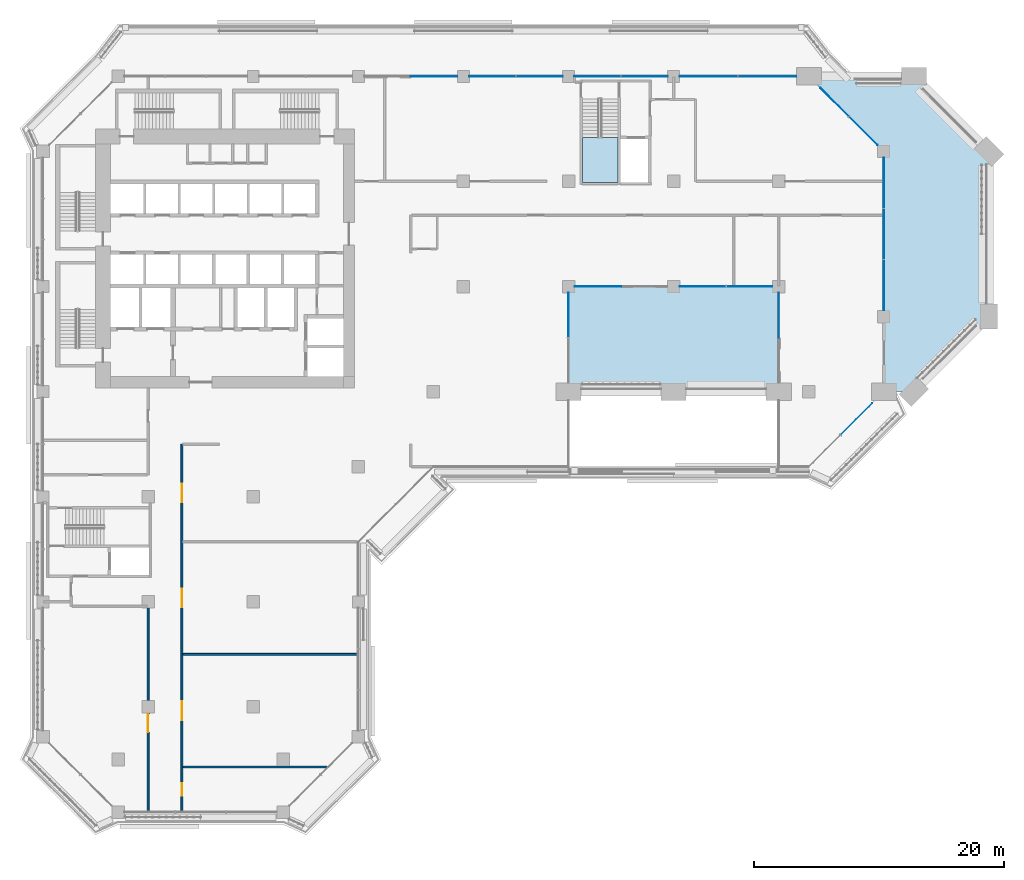
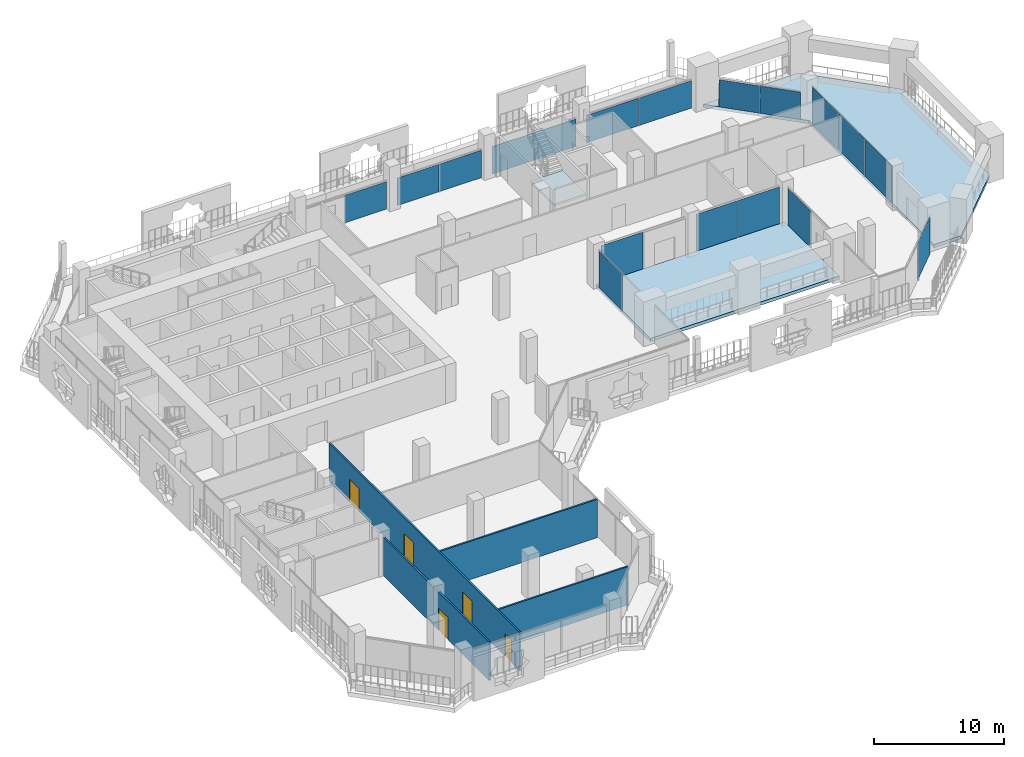
# One storey, part 10 of 23: 18 plates, 5 doors, 4 walls, 3 slabs, 5 openings, 8 elements without a shape of their own.
"""IFC4 building model written with IfcOpenShell, lengths in metres."""

from ifc_helpers import new_model, si_unit, direction, frame, frame_2d, origin, origin_2d, place, context, subcontext, project, spatial, polyline, rectangle, outline, extrude, material, layer, layer_set, type_object, element, fill, aggregate, save


model = new_model("IFC4")

# Units and contexts
model_context = context("Model", 3, precision=1e-05, world=origin(), true_north=direction((0.0, 1.0)))
body_context = subcontext(model_context, "Body", "Model", "MODEL_VIEW")
ifc_project = project(units=[si_unit("LENGTHUNIT", "METRE"), si_unit("AREAUNIT", "SQUARE_METRE"), si_unit("VOLUMEUNIT", "CUBIC_METRE"), si_unit("PLANEANGLEUNIT", "RADIAN"), si_unit("MASSUNIT", "GRAM", prefix="KILO")], contexts=[model_context])

# Site, building, storey
site_placement = place(None, origin())
site = spatial("IfcSite", under=ifc_project, at=site_placement, CompositionType="ELEMENT")
building_placement = place(site_placement, origin())
building = spatial("IfcBuilding", under=site, at=building_placement, Name="Kawkab Arch Medical Tower", CompositionType="ELEMENT")
storey_placement = place(building_placement, frame((0.0, 0.0, 158.39990234375)))
storey = spatial("IfcBuildingStorey", under=building, at=storey_placement, Name="L36", CompositionType="ELEMENT", Elevation=158.39990234375)

# Curtain wall, plates
ifc_material_1 = material(Name="Bronze anodised aluminium curtain wall frame", Category="aluminium")
ifc_layer_1 = layer(ifc_material_1, 0.159912109375)
ifc_layer_set_1 = layer_set([ifc_layer_1], Name="Bronze anodised aluminium curtain wall frame")
curtain_wall_type_1 = type_object("IfcCurtainWallType", Name="CW1 ward curtain wall", PredefinedType="NOTDEFINED", material=ifc_layer_set_1)
placement_1 = place(storey_placement, origin())
curtain_wall_1 = element("IfcCurtainWall", 1, at=placement_1, inside=storey, type_object=curtain_wall_type_1, Name="CW1 Ward curtain wall R07", PredefinedType="NOTDEFINED")
ifc_material_2 = material(Name="Tinted insulating glass, bronze low-e coating", Category="glass")
ifc_layer_2 = layer(ifc_material_2, 0.031982421875)
ifc_layer_set_2 = layer_set([ifc_layer_2], Name="Tinted insulating glass, bronze low-e coating")
plate_type_1 = type_object("IfcPlateType", Name="CW1 glazing unit 32", PredefinedType="CURTAIN_PANEL", material=ifc_layer_set_2)
plate_1_placement = place(storey_placement, frame((67.199951171875, -16.681640625, 0.0), z_axis=(0.0, 0.0, 1.0), x_axis=(0.0, 1.0, 0.0)))
plate_1 = element("IfcPlate", 2, at=plate_1_placement, type_object=plate_type_1, Name="CW1 glazing unit 2.1", PredefinedType="CURTAIN_PANEL", context=body_context, shape_type="SweptSolid", body=[
    extrude(rectangle(XDim=4.03662109375, YDim=0.031982421875, at=origin_2d()), origin(), (0.0, 0.0, 1.0), 3.47998046875),
])
plate_2_placement = place(storey_placement, frame((67.199951171875, -12.60009765625, 0.0), z_axis=(0.0, 0.0, 1.0), x_axis=(0.0, 1.0, 0.0)))
plate_2 = element("IfcPlate", 3, at=plate_2_placement, type_object=plate_type_1, Name="CW1 glazing unit 2.2", PredefinedType="CURTAIN_PANEL", context=body_context, shape_type="SweptSolid", body=[
    extrude(rectangle(XDim=4.006591796875, YDim=0.031982421875, at=origin_2d()), origin(), (0.0, 0.0, 1.0), 3.47998046875),
])
plate_3_placement = place(storey_placement, frame((67.199951171875, -8.518310546875, 0.0), z_axis=(0.0, 0.0, 1.0), x_axis=(0.0, 1.0, 0.0)))
plate_3 = element("IfcPlate", 4, at=plate_3_placement, type_object=plate_type_1, Name="CW1 glazing unit 2.3", PredefinedType="CURTAIN_PANEL", context=body_context, shape_type="SweptSolid", body=[
    extrude(rectangle(XDim=4.03662109375, YDim=0.031982421875, at=origin_2d()), origin(), (0.0, 0.0, 1.0), 3.47998046875),
])
aggregate(curtain_wall_1, [plate_1, plate_2, plate_3])

curtain_wall_2 = element("IfcCurtainWall", 5, at=placement_1, inside=storey, type_object=curtain_wall_type_1, Name="CW1 Ward curtain wall R09", PredefinedType="NOTDEFINED")
plate_4_placement = place(storey_placement, frame((57.8837890625, 0.0, 0.0), z_axis=(0.0, 0.0, 1.0), x_axis=(-1.0, 0.0, 0.0)))
plate_4 = element("IfcPlate", 6, at=plate_4_placement, type_object=plate_type_1, Name="CW1 glazing unit 1.1", PredefinedType="CURTAIN_PANEL", context=body_context, shape_type="SweptSolid", body=[
    extrude(rectangle(XDim=4.632568359375, YDim=0.031982421875, at=origin_2d()), origin(), (0.0, 0.0, 1.0), 2.580078125),
])
plate_5_placement = place(storey_placement, frame((53.191162109375, 0.0, 0.0), z_axis=(0.0, 0.0, 1.0), x_axis=(-1.0, 0.0, 0.0)))
plate_5 = element("IfcPlate", 7, at=plate_5_placement, type_object=plate_type_1, Name="CW1 glazing unit 1.2", PredefinedType="CURTAIN_PANEL", context=body_context, shape_type="SweptSolid", body=[
    extrude(rectangle(XDim=4.632568359375, YDim=0.031982421875, at=origin_2d()), origin(), (0.0, 0.0, 1.0), 2.580078125),
])
plate_6_placement = place(storey_placement, frame((48.077392578125, 0.0, 0.0), z_axis=(0.0, 0.0, 1.0), x_axis=(-1.0, 0.0, 0.0)))
plate_6 = element("IfcPlate", 8, at=plate_6_placement, type_object=plate_type_1, Name="CW1 glazing unit 2.1", PredefinedType="CURTAIN_PANEL", context=body_context, shape_type="SweptSolid", body=[
    extrude(rectangle(XDim=3.695068359375, YDim=0.031982421875, at=origin_2d()), origin(), (0.0, 0.0, 1.0), 2.580078125),
])
plate_7_placement = place(storey_placement, frame((44.322509765625, 0.0, 0.0), z_axis=(0.0, 0.0, 1.0), x_axis=(-1.0, 0.0, 0.0)))
plate_7 = element("IfcPlate", 9, at=plate_7_placement, type_object=plate_type_1, Name="CW1 glazing unit 2.2", PredefinedType="CURTAIN_PANEL", context=body_context, shape_type="SweptSolid", body=[
    extrude(rectangle(XDim=3.695068359375, YDim=0.031982421875, at=origin_2d()), origin(), (0.0, 0.0, 1.0), 2.580078125),
])
plate_8_placement = place(storey_placement, frame((39.677490234375, 0.0, 0.0), z_axis=(0.0, 0.0, 1.0), x_axis=(-1.0, 0.0, 0.0)))
plate_8 = element("IfcPlate", 10, at=plate_8_placement, type_object=plate_type_1, Name="CW1 glazing unit 3.1", PredefinedType="CURTAIN_PANEL", context=body_context, shape_type="SweptSolid", body=[
    extrude(rectangle(XDim=3.695068359375, YDim=0.031982421875, at=origin_2d()), origin(), (0.0, 0.0, 1.0), 2.580078125),
])
plate_9_placement = place(storey_placement, frame((35.922607421875, 0.0, 0.0), z_axis=(0.0, 0.0, 1.0), x_axis=(-1.0, 0.0, 0.0)))
plate_9 = element("IfcPlate", 11, at=plate_9_placement, type_object=plate_type_1, Name="CW1 glazing unit 3.2", PredefinedType="CURTAIN_PANEL", context=body_context, shape_type="SweptSolid", body=[
    extrude(rectangle(XDim=3.695068359375, YDim=0.031982421875, at=origin_2d()), origin(), (0.0, 0.0, 1.0), 2.580078125),
])
plate_10_placement = place(storey_placement, frame((31.262451171875, 0.0, 0.0), z_axis=(0.0, 0.0, 1.0), x_axis=(-1.0, 0.0, 0.0)))
plate_10 = element("IfcPlate", 12, at=plate_10_placement, type_object=plate_type_1, Name="CW1 glazing unit 4.1", PredefinedType="CURTAIN_PANEL", context=body_context, shape_type="SweptSolid", body=[
    extrude(rectangle(XDim=3.72509765625, YDim=0.031982421875, at=origin_2d()), origin(), (0.0, 0.0, 1.0), 2.580078125),
])
aggregate(curtain_wall_2, [plate_4, plate_5, plate_6, plate_7, plate_8, plate_9, plate_10])

# Curtain wall, plate
ifc_material_3 = material(Name="Bronze anodised aluminium curtain wall frame", Category="aluminium")
ifc_layer_3 = layer(ifc_material_3, 0.159912109375)
ifc_layer_set_3 = layer_set([ifc_layer_3], Name="Bronze anodised aluminium curtain wall frame")
curtain_wall_type_2 = type_object("IfcCurtainWallType", Name="CW2 chamfer curtain wall", PredefinedType="NOTDEFINED", material=ifc_layer_set_3)
curtain_wall_3 = element("IfcCurtainWall", 13, at=placement_1, inside=storey, type_object=curtain_wall_type_2, Name="CW2 Chamfer curtain wall R06", PredefinedType="NOTDEFINED")
ifc_material_4 = material(Name="Tinted insulating glass, bronze low-e coating", Category="glass")
ifc_layer_4 = layer(ifc_material_4, 0.031982421875)
ifc_layer_set_4 = layer_set([ifc_layer_4], Name="Tinted insulating glass, bronze low-e coating")
plate_type_2 = type_object("IfcPlateType", Name="CW2 glazing unit 32", PredefinedType="CURTAIN_PANEL", material=ifc_layer_set_4)
plate_11_placement = place(storey_placement, frame((65.012939453125, -27.38720703125, 0.0), z_axis=(0.0, 0.0, 1.0), x_axis=(0.707106781187, 0.707106781187, 0.0)))
plate_11 = element("IfcPlate", 14, at=plate_11_placement, type_object=plate_type_2, Name="CW2 glazing unit 1.2", PredefinedType="CURTAIN_PANEL", context=body_context, shape_type="SweptSolid", body=[
    extrude(rectangle(XDim=3.5546875, YDim=0.031982421875, at=origin_2d()), origin(), (0.0, 0.0, 1.0), 3.4599609375),
])
aggregate(curtain_wall_3, [plate_11])

# Curtain wall, plates
curtain_wall_4 = element("IfcCurtainWall", 15, at=placement_1, inside=storey, type_object=curtain_wall_type_2, Name="CW2 Chamfer curtain wall R08", PredefinedType="NOTDEFINED")
plate_12_placement = place(storey_placement, frame((65.568115234375, -4.3681640625, 0.0), z_axis=(0.0, 0.0, 1.0), x_axis=(-0.707106781187, 0.707106781187, 0.0)))
plate_12 = element("IfcPlate", 16, at=plate_12_placement, type_object=plate_type_2, Name="CW2 glazing unit 1.1", PredefinedType="CURTAIN_PANEL", context=body_context, shape_type="SweptSolid", body=[
    extrude(rectangle(XDim=3.201171875, YDim=0.031982421875, at=origin_2d()), origin(), (0.0, 0.0, 1.0), 2.56005859375),
])
plate_13_placement = place(storey_placement, frame((63.26220703125, -2.062255859375, 0.0), z_axis=(0.0, 0.0, 1.0), x_axis=(-0.707106781187, 0.707106781187, 0.0)))
plate_13 = element("IfcPlate", 17, at=plate_13_placement, type_object=plate_type_2, Name="CW2 glazing unit 1.2", PredefinedType="CURTAIN_PANEL", context=body_context, shape_type="SweptSolid", body=[
    extrude(rectangle(XDim=3.201171875, YDim=0.031982421875, at=origin_2d()), origin(), (0.0, 0.0, 1.0), 2.56005859375),
])
aggregate(curtain_wall_4, [plate_12, plate_13])

# Curtain wall, plate
ifc_material_5 = material(Name="Bronze anodised aluminium curtain wall frame", Category="aluminium")
ifc_layer_5 = layer(ifc_material_5, 0.159912109375)
ifc_layer_set_5 = layer_set([ifc_layer_5], Name="Bronze anodised aluminium curtain wall frame")
curtain_wall_type_3 = type_object("IfcCurtainWallType", Name="CW3 sky garden curtain wall", PredefinedType="NOTDEFINED", material=ifc_layer_set_5)
curtain_wall_5 = element("IfcCurtainWall", 18, at=placement_1, inside=storey, type_object=curtain_wall_type_3, Name="CW3 Sky garden curtain wall R02", PredefinedType="NOTDEFINED")
ifc_material_6 = material(Name="Tinted laminated insulating glass, grey-green", Category="glass")
ifc_layer_6 = layer(ifc_material_6, 0.035888671875)
ifc_layer_set_6 = layer_set([ifc_layer_6], Name="Tinted laminated insulating glass, grey-green")
plate_type_3 = type_object("IfcPlateType", Name="CW3 glazing unit 36", PredefinedType="CURTAIN_PANEL", material=ifc_layer_set_6)
plate_14_placement = place(storey_placement, frame((42.0, -19.08251953125, 0.0), z_axis=(0.0, 0.0, 1.0), x_axis=(0.0, 1.0, 0.0)))
plate_14 = element("IfcPlate", 19, at=plate_14_placement, type_object=plate_type_3, Name="CW3 glazing unit 2.2", PredefinedType="CURTAIN_PANEL", context=body_context, shape_type="SweptSolid", body=[
    extrude(rectangle(XDim=3.56494140625, YDim=0.035888671875, at=origin_2d()), origin(), (0.0, 0.0, 1.0), 3.4599609375),
])
aggregate(curtain_wall_5, [plate_14])

# Curtain wall, plates
curtain_wall_6 = element("IfcCurtainWall", 20, at=placement_1, inside=storey, type_object=curtain_wall_type_3, Name="CW3 Sky garden curtain wall R03", PredefinedType="NOTDEFINED")
plate_15_placement = place(storey_placement, frame((44.35009765625, -16.800048828125, 0.0), z_axis=(0.0, 0.0, 1.0), x_axis=(1.0, 0.0, 0.0)))
plate_15 = element("IfcPlate", 21, at=plate_15_placement, type_object=plate_type_3, Name="CW3 glazing unit 1.1", PredefinedType="CURTAIN_PANEL", context=body_context, shape_type="SweptSolid", body=[
    extrude(rectangle(XDim=3.699951171875, YDim=0.035888671875, at=origin_2d()), origin(), (0.0, 0.0, 1.0), 3.4599609375),
])
plate_16_placement = place(storey_placement, frame((52.732421875, -16.800048828125, 0.0), z_axis=(0.0, 0.0, 1.0), x_axis=(1.0, 0.0, 0.0)))
plate_16 = element("IfcPlate", 22, at=plate_16_placement, type_object=plate_type_3, Name="CW3 glazing unit 2.1", PredefinedType="CURTAIN_PANEL", context=body_context, shape_type="SweptSolid", body=[
    extrude(rectangle(XDim=3.6650390625, YDim=0.035888671875, at=origin_2d()), origin(), (0.0, 0.0, 1.0), 3.4599609375),
])
plate_17_placement = place(storey_placement, frame((56.467529296875, -16.800048828125, 0.0), z_axis=(0.0, 0.0, 1.0), x_axis=(1.0, 0.0, 0.0)))
plate_17 = element("IfcPlate", 23, at=plate_17_placement, type_object=plate_type_3, Name="CW3 glazing unit 2.2", PredefinedType="CURTAIN_PANEL", context=body_context, shape_type="SweptSolid", body=[
    extrude(rectangle(XDim=3.6650390625, YDim=0.035888671875, at=origin_2d()), origin(), (0.0, 0.0, 1.0), 3.4599609375),
])
aggregate(curtain_wall_6, [plate_15, plate_16, plate_17])

# Curtain wall, plate
curtain_wall_7 = element("IfcCurtainWall", 24, at=placement_1, inside=storey, type_object=curtain_wall_type_3, Name="CW3 Sky garden curtain wall R04", PredefinedType="NOTDEFINED")
plate_18_placement = place(storey_placement, frame((58.800048828125, -19.10009765625, 0.0), z_axis=(0.0, 0.0, 1.0), x_axis=(0.0, -1.0, 0.0)))
plate_18 = element("IfcPlate", 25, at=plate_18_placement, type_object=plate_type_3, Name="CW3 glazing unit 1.1", PredefinedType="CURTAIN_PANEL", context=body_context, shape_type="SweptSolid", body=[
    extrude(rectangle(XDim=3.60009765625, YDim=0.035888671875, at=origin_2d()), origin(), (0.0, 0.0, 1.0), 3.4599609375),
])
aggregate(curtain_wall_7, [plate_18])

# Stair, slab
ifc_material_7 = material(Name="Concrete C40/50", Category="concrete")
stair_type = type_object("IfcStairType", Name="Exit stair 1350", PredefinedType="HALF_TURN_STAIR", material=ifc_material_7)
stair = element("IfcStair", 26, at=placement_1, inside=storey, type_object=stair_type, Name="L36 Exit stair ST5", PredefinedType="HALF_TURN_STAIR")
ifc_material_8 = material(Name="Concrete C40/50", Category="concrete")
ifc_layer_7 = layer(ifc_material_8, 0.199951171875)
ifc_layer_set_7 = layer_set([ifc_layer_7], Name="Concrete C40/50")
slab_type_1 = type_object("IfcSlabType", Name="Exit stair landing 200", PredefinedType="LANDING", material=ifc_layer_set_7)
slab_1_placement = place(storey_placement, frame((0.0, 0.0, 1.900146484375)))
slab_1 = element("IfcSlab", 27, at=slab_1_placement, type_object=slab_type_1, Name="ST5 landing 1", PredefinedType="LANDING", context=body_context, shape_type="SweptSolid", body=[
    extrude(outline(polyline([(43.10009765625, -4.8798828125), (43.10009765625, -8.5), (45.949951171875, -8.5), (45.949951171875, -4.8798828125), (43.10009765625, -4.8798828125)])), origin(), (0.0, 0.0, 1.0), 0.199951171875),
])
aggregate(stair, [slab_1])

# Slabs
ifc_material_9 = material(Name="Concrete C40/50", Category="concrete")
ifc_layer_8 = layer(ifc_material_9, 0.300048828125)
ifc_layer_set_8 = layer_set([ifc_layer_8], Name="Concrete C40/50")
slab_type_2 = type_object("IfcSlabType", Name="Terrace slab 300", PredefinedType="FLOOR", material=ifc_layer_set_8)
placement_2 = place(storey_placement, frame((0.0, 0.0, -0.2998046875)))
element("IfcSlab", 28, at=placement_2, inside=storey, type_object=slab_type_2, Name="Sky garden slab L36.1", PredefinedType="FLOOR", context=body_context, shape_type="SweptSolid", body=[
    extrude(outline(polyline([(69.597900390625, 0.0), (69.596923828125, 0.0), (69.595947265625, 0.0), (61.22509765625, 0.0), (61.22412109375, 0.0), (61.222900390625, 0.0), (61.221923828125, 0.0), (61.220947265625, -0.0009765625), (61.219970703125, -0.0009765625), (61.218994140625, -0.001953125), (61.218017578125, -0.0029296875), (61.217041015625, -0.00390625), (61.216064453125, -0.0048828125), (61.216064453125, -0.006103515625), (61.215087890625, -0.007080078125), (61.215087890625, -0.008056640625), (61.215087890625, -0.009033203125), (61.215087890625, -0.010009765625), (61.215087890625, -0.010986328125), (61.215087890625, -0.011962890625), (61.215087890625, -0.012939453125), (61.216064453125, -0.013916015625), (61.216064453125, -0.014892578125), (61.217041015625, -0.01611328125), (61.218017578125, -0.01708984375), (67.199951171875, -6.0), (67.200927734375, -6.0), (67.200927734375, -25.18994140625), (67.200927734375, -25.19091796875), (67.200927734375, -25.19189453125), (67.200927734375, -25.193115234375), (67.200927734375, -25.194091796875), (67.201904296875, -25.195068359375), (67.201904296875, -25.196044921875), (67.202880859375, -25.196044921875), (67.202880859375, -25.197021484375), (67.2041015625, -25.197998046875), (67.205078125, -25.197998046875), (67.2060546875, -25.198974609375), (67.20703125, -25.198974609375), (67.2080078125, -25.199951171875), (67.208984375, -25.199951171875), (67.2099609375, -25.199951171875), (67.2109375, -25.199951171875), (69.595947265625, -25.199951171875), (69.596923828125, -25.199951171875), (69.597900390625, -25.199951171875), (69.59912109375, -25.199951171875), (69.60009765625, -25.198974609375), (69.60107421875, -25.198974609375), (69.60107421875, -25.197998046875), (69.60205078125, -25.197998046875), (69.60302734375, -25.197021484375), (75.596923828125, -19.202880859375), (75.597900390625, -19.201904296875), (75.597900390625, -19.200927734375), (75.59912109375, -19.200927734375), (75.59912109375, -19.199951171875), (75.60009765625, -19.198974609375), (75.60009765625, -19.197998046875), (75.60009765625, -19.197021484375), (75.60009765625, -19.196044921875), (75.60009765625, -6.00390625), (75.60009765625, -6.0029296875), (75.60009765625, -6.001953125), (75.60009765625, -6.0009765625), (75.59912109375, -6.0), (75.59912109375, -5.9990234375), (75.597900390625, -5.9990234375), (75.597900390625, -5.998046875), (75.596923828125, -5.9970703125), (69.60302734375, -0.0029296875), (69.60205078125, -0.001953125), (69.60107421875, -0.001953125), (69.60107421875, -0.0009765625), (69.60009765625, -0.0009765625), (69.59912109375, 0.0), (69.597900390625, 0.0)])), origin(), (0.0, 0.0, 1.0), 0.2998046875),
])
element("IfcSlab", 29, at=placement_2, inside=storey, type_object=slab_type_2, Name="Sky garden slab L36.1", PredefinedType="FLOOR", context=body_context, shape_type="SweptSolid", body=[
    extrude(outline(polyline([(42.009033203125, -25.199951171875), (42.010009765625, -25.199951171875), (42.010986328125, -25.199951171875), (58.7890625, -25.199951171875), (58.7900390625, -25.199951171875), (58.791015625, -25.199951171875), (58.7919921875, -25.199951171875), (58.79296875, -25.198974609375), (58.7939453125, -25.198974609375), (58.794921875, -25.197998046875), (58.7958984375, -25.197998046875), (58.797119140625, -25.197021484375), (58.797119140625, -25.196044921875), (58.798095703125, -25.196044921875), (58.798095703125, -25.195068359375), (58.799072265625, -25.194091796875), (58.799072265625, -25.193115234375), (58.799072265625, -25.19189453125), (58.799072265625, -25.19091796875), (58.799072265625, -25.18994140625), (58.799072265625, -16.81103515625), (58.799072265625, -16.81005859375), (58.799072265625, -16.80908203125), (58.799072265625, -16.80810546875), (58.799072265625, -16.806884765625), (58.798095703125, -16.805908203125), (58.798095703125, -16.804931640625), (58.797119140625, -16.803955078125), (58.797119140625, -16.802978515625), (58.7958984375, -16.802978515625), (58.794921875, -16.802001953125), (58.7939453125, -16.802001953125), (58.79296875, -16.801025390625), (58.7919921875, -16.801025390625), (58.791015625, -16.801025390625), (58.7900390625, -16.801025390625), (58.7890625, -16.800048828125), (42.010986328125, -16.800048828125), (42.010009765625, -16.801025390625), (42.009033203125, -16.801025390625), (42.008056640625, -16.801025390625), (42.007080078125, -16.801025390625), (42.006103515625, -16.802001953125), (42.0048828125, -16.802001953125), (42.00390625, -16.802978515625), (42.0029296875, -16.802978515625), (42.0029296875, -16.803955078125), (42.001953125, -16.804931640625), (42.001953125, -16.805908203125), (42.0009765625, -16.806884765625), (42.0009765625, -16.80810546875), (42.0009765625, -16.80908203125), (42.0009765625, -16.81005859375), (42.0009765625, -16.81103515625), (42.0009765625, -25.18994140625), (42.0009765625, -25.19091796875), (42.0009765625, -25.19189453125), (42.0009765625, -25.193115234375), (42.0009765625, -25.194091796875), (42.001953125, -25.195068359375), (42.001953125, -25.196044921875), (42.0029296875, -25.196044921875), (42.0029296875, -25.197021484375), (42.00390625, -25.197998046875), (42.0048828125, -25.197998046875), (42.006103515625, -25.198974609375), (42.007080078125, -25.198974609375), (42.008056640625, -25.199951171875), (42.009033203125, -25.199951171875)])), origin(), (0.0, 0.0, 1.0), 0.2998046875),
])

# Walls
ifc_material_10 = material(Name="Gypsum board partition on steel studs, mineral wool", Category="steel")
ifc_layer_9 = layer(ifc_material_10, 0.14990234375)
ifc_layer_set_9 = layer_set([ifc_layer_9], Name="Gypsum board partition on steel studs, mineral wool")
wall_type = type_object("IfcWallType", Name="Partition 150", PredefinedType="PARTITIONING", material=ifc_layer_set_9)
wall_1_placement = place(storey_placement, frame((11.175048828125, -55.199951171875, 0.0), z_axis=(0.0, 0.0, 1.0), x_axis=(1.0, 0.0, 0.0)))
element("IfcWall", 30, at=wall_1_placement, inside=storey, type_object=wall_type, Name="Partition 150 w003", PredefinedType="PARTITIONING", context=body_context, shape_type="SweptSolid", body=[
    extrude(rectangle(XDim=11.511962890625, YDim=0.14990234375, at=frame_2d((5.755859375, 0.0))), origin(), (0.0, 0.0, 1.0), 3.60009765625),
])
wall_2_placement = place(storey_placement, frame((11.175048828125, -46.199951171875, 0.0), z_axis=(0.0, 0.0, 1.0), x_axis=(1.0, 0.0, 0.0)))
element("IfcWall", 31, at=wall_2_placement, inside=storey, type_object=wall_type, Name="Partition 150 w004", PredefinedType="PARTITIONING", context=body_context, shape_type="SweptSolid", body=[
    extrude(rectangle(XDim=13.945068359375, YDim=0.14990234375, at=frame_2d((6.97265625, 0.0))), origin(), (0.0, 0.0, 1.0), 3.60009765625),
])

# Wall, opening, door
wall_3_placement = place(storey_placement, frame((8.39990234375, -58.719970703125, 0.0), z_axis=(0.0, 0.0, 1.0), x_axis=(0.0, 1.0, 0.0)))
wall_3 = element("IfcWall", 32, at=wall_3_placement, inside=storey, type_object=wall_type, Name="Partition 150 w019", PredefinedType="PARTITIONING", context=body_context, shape_type="SweptSolid", body=[
    extrude(rectangle(XDim=16.369873046875, YDim=0.14990234375, at=frame_2d((8.18505859375, 0.0))), origin(), (0.0, 0.0, 1.0), 3.60009765625),
])
opening_1_placement = place(wall_3_placement, frame((6.294921875, 0.0, 0.0)))
opening_1 = element("IfcOpeningElement", 33, at=opening_1_placement, cuts=wall_3, Name="Opening B36-003", PredefinedType="OPENING", context=body_context, shape_type="SweptSolid", body=[
    extrude(rectangle(XDim=1.5, YDim=2.10009765625, at=frame_2d((0.75, 1.050048828125))), frame((0.0, 0.0849609375, 0.0), z_axis=(0.0, -1.0, 0.0), x_axis=(1.0, 0.0, 0.0)), (0.0, 0.0, 1.0), 0.169921875),
])
ifc_material_11 = material(Name="Hollow metal door leaf")
door_type_1 = type_object("IfcDoorType", Name="Double door 1500x2100 FD30S", OperationType="NOTDEFINED", PredefinedType="DOOR", material=ifc_material_11)
door_1_placement = place(opening_1_placement, origin())
door_1 = element("IfcDoor", 34, at=door_1_placement, inside=storey, type_object=door_type_1, Name="Door B36-003", OperationType="DOUBLE_DOOR_SINGLE_SWING", OverallHeight=2.10009765625, OverallWidth=1.5, PredefinedType="DOOR", context=body_context, shape_type="SweptSolid", body=[
    extrude(rectangle(XDim=1.5, YDim=2.10009765625, at=frame_2d((0.75, 1.050048828125))), frame((0.0, 0.02490234375, 0.0), z_axis=(0.0, -1.0, 0.0), x_axis=(1.0, 0.0, 0.0)), (0.0, 0.0, 1.0), 0.050048828125),
])
fill(opening_1, door_1)

# Wall, openings, doors
wall_4_placement = place(storey_placement, frame((11.10009765625, -58.719970703125, 0.0), z_axis=(0.0, 0.0, 1.0), x_axis=(0.0, 1.0, 0.0)))
wall_4 = element("IfcWall", 35, at=wall_4_placement, inside=storey, type_object=wall_type, Name="Partition 150 w022", PredefinedType="PARTITIONING", context=body_context, shape_type="SweptSolid", body=[
    extrude(rectangle(XDim=29.320068359375, YDim=0.14990234375, at=frame_2d((14.66015625, 0.0))), origin(), (0.0, 0.0, 1.0), 3.60009765625),
])
opening_2_placement = place(wall_4_placement, frame((24.669921875, 0.0, 0.0)))
opening_2 = element("IfcOpeningElement", 36, at=opening_2_placement, cuts=wall_4, Name="Opening B36-004", PredefinedType="OPENING", context=body_context, shape_type="SweptSolid", body=[
    extrude(rectangle(XDim=1.5, YDim=2.10009765625, at=frame_2d((0.75, 1.050048828125))), frame((0.0, 0.0849609375, 0.0), z_axis=(0.0, -1.0, 0.0), x_axis=(1.0, 0.0, 0.0)), (0.0, 0.0, 1.0), 0.169921875),
])
opening_3_placement = place(wall_4_placement, frame((16.27001953125, 0.0, 0.0)))
opening_3 = element("IfcOpeningElement", 37, at=opening_3_placement, cuts=wall_4, Name="Opening B36-005", PredefinedType="OPENING", context=body_context, shape_type="SweptSolid", body=[
    extrude(rectangle(XDim=1.5, YDim=2.10009765625, at=frame_2d((0.75, 1.050048828125))), frame((0.0, 0.0849609375, 0.0), z_axis=(0.0, -1.0, 0.0), x_axis=(1.0, 0.0, 0.0)), (0.0, 0.0, 1.0), 0.169921875),
])
opening_4_placement = place(wall_4_placement, frame((7.27001953125, 0.0, 0.0)))
opening_4 = element("IfcOpeningElement", 38, at=opening_4_placement, cuts=wall_4, Name="Opening B36-006", PredefinedType="OPENING", context=body_context, shape_type="SweptSolid", body=[
    extrude(rectangle(XDim=1.5, YDim=2.10009765625, at=frame_2d((0.75, 1.050048828125))), frame((0.0, 0.0849609375, 0.0), z_axis=(0.0, -1.0, 0.0), x_axis=(1.0, 0.0, 0.0)), (0.0, 0.0, 1.0), 0.169921875),
])
opening_5_placement = place(wall_4_placement, frame((1.219970703125, 0.0, 0.0)))
opening_5 = element("IfcOpeningElement", 39, at=opening_5_placement, cuts=wall_4, Name="Opening B36-015", PredefinedType="OPENING", context=body_context, shape_type="SweptSolid", body=[
    extrude(rectangle(XDim=1.0, YDim=2.10009765625, at=frame_2d((0.5, 1.050048828125))), frame((0.0, 0.0849609375, 0.0), z_axis=(0.0, -1.0, 0.0), x_axis=(1.0, 0.0, 0.0)), (0.0, 0.0, 1.0), 0.169921875),
])
door_2_placement = place(opening_2_placement, origin())
door_2 = element("IfcDoor", 40, at=door_2_placement, inside=storey, type_object=door_type_1, Name="Door B36-004", OperationType="DOUBLE_DOOR_SINGLE_SWING", OverallHeight=2.10009765625, OverallWidth=1.5, PredefinedType="DOOR", context=body_context, shape_type="SweptSolid", body=[
    extrude(rectangle(XDim=1.5, YDim=2.10009765625, at=frame_2d((0.75, 1.050048828125))), frame((0.0, 0.02490234375, 0.0), z_axis=(0.0, -1.0, 0.0), x_axis=(1.0, 0.0, 0.0)), (0.0, 0.0, 1.0), 0.050048828125),
])
fill(opening_2, door_2)
door_3_placement = place(opening_3_placement, origin())
door_3 = element("IfcDoor", 41, at=door_3_placement, inside=storey, type_object=door_type_1, Name="Door B36-005", OperationType="DOUBLE_DOOR_SINGLE_SWING", OverallHeight=2.10009765625, OverallWidth=1.5, PredefinedType="DOOR", context=body_context, shape_type="SweptSolid", body=[
    extrude(rectangle(XDim=1.5, YDim=2.10009765625, at=frame_2d((0.75, 1.050048828125))), frame((0.0, 0.02490234375, 0.0), z_axis=(0.0, -1.0, 0.0), x_axis=(1.0, 0.0, 0.0)), (0.0, 0.0, 1.0), 0.050048828125),
])
fill(opening_3, door_3)
door_4_placement = place(opening_4_placement, origin())
door_4 = element("IfcDoor", 42, at=door_4_placement, inside=storey, type_object=door_type_1, Name="Door B36-006", OperationType="DOUBLE_DOOR_SINGLE_SWING", OverallHeight=2.10009765625, OverallWidth=1.5, PredefinedType="DOOR", context=body_context, shape_type="SweptSolid", body=[
    extrude(rectangle(XDim=1.5, YDim=2.10009765625, at=frame_2d((0.75, 1.050048828125))), frame((0.0, 0.02490234375, 0.0), z_axis=(0.0, -1.0, 0.0), x_axis=(1.0, 0.0, 0.0)), (0.0, 0.0, 1.0), 0.050048828125),
])
fill(opening_4, door_4)
ifc_material_12 = material(Name="Hollow metal door leaf")
door_type_2 = type_object("IfcDoorType", Name="Single door 1000x2100 FD30S", OperationType="NOTDEFINED", PredefinedType="DOOR", material=ifc_material_12)
door_5_placement = place(opening_5_placement, origin())
door_5 = element("IfcDoor", 43, at=door_5_placement, inside=storey, type_object=door_type_2, Name="Door B36-015", OperationType="SINGLE_SWING_RIGHT", OverallHeight=2.10009765625, OverallWidth=1.0, PredefinedType="DOOR", context=body_context, shape_type="SweptSolid", body=[
    extrude(rectangle(XDim=1.0, YDim=2.10009765625, at=frame_2d((0.5, 1.050048828125))), frame((0.0, 0.02490234375, 0.0), z_axis=(0.0, -1.0, 0.0), x_axis=(1.0, 0.0, 0.0)), (0.0, 0.0, 1.0), 0.050048828125),
])
fill(opening_5, door_5)

save(model, "model.ifc")
